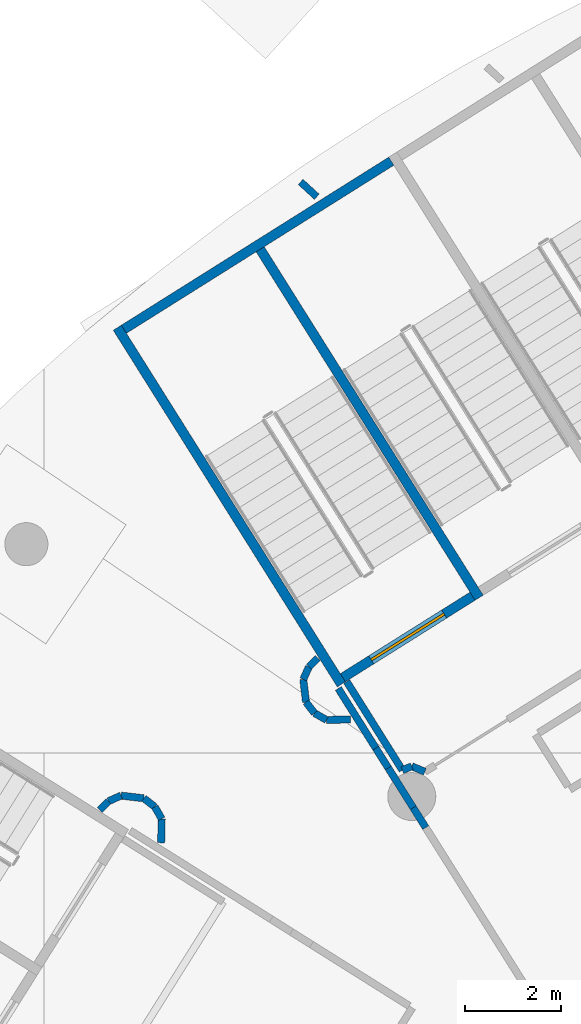
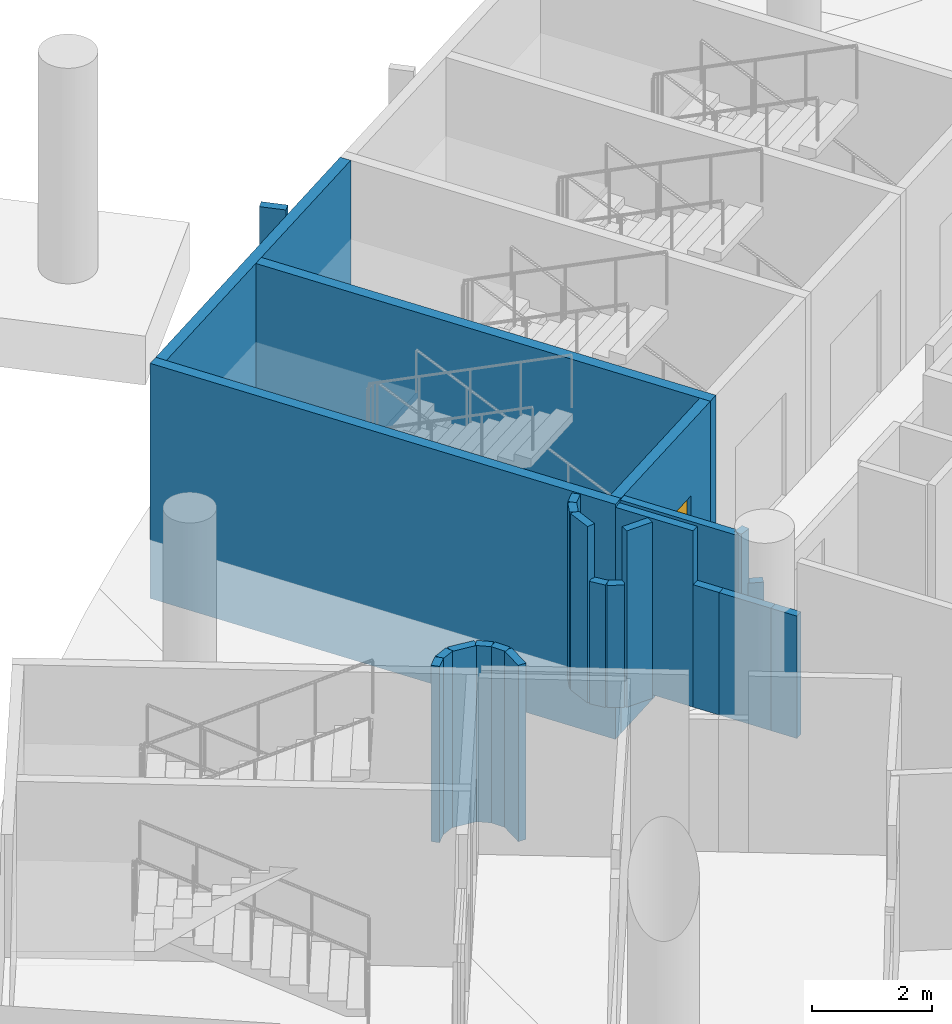
# One storey, part 74 of 142: 24 walls, 1 door, 1 opening.
"""IFC4 building model written with IfcOpenShell, lengths in metres."""

from ifc_helpers import new_model, si_unit, direction, frame, frame_2d, origin, place, context, subcontext, project, spatial, rectangle, extrude, material, layer, layer_set, type_object, element, fill, save


model = new_model("IFC4")

# Units and contexts
model_context = context("Model", 3, precision=1e-05, world=origin(), true_north=direction((0.0, 1.0)))
body_context = subcontext(model_context, "Body", "Model", "MODEL_VIEW")
ifc_project = project(units=[si_unit("LENGTHUNIT", "METRE"), si_unit("AREAUNIT", "SQUARE_METRE"), si_unit("VOLUMEUNIT", "CUBIC_METRE"), si_unit("PLANEANGLEUNIT", "RADIAN"), si_unit("MASSUNIT", "GRAM", prefix="KILO")], contexts=[model_context])

# Site, building, storey
site_placement = place(None, origin())
site = spatial("IfcSite", under=ifc_project, at=site_placement, CompositionType="ELEMENT")
building_placement = place(site_placement, origin())
building = spatial("IfcBuilding", under=site, at=building_placement, Name="Meseta Stadium", CompositionType="ELEMENT")
storey_placement = place(building_placement, frame((0.0, 0.0, -4.0)))
storey = spatial("IfcBuildingStorey", under=building, at=storey_placement, Name="B1", CompositionType="ELEMENT", Elevation=-4.0)

# Walls
ifc_material_1 = material(Name="Concrete C40/50", Category="concrete")
ifc_layer_1 = layer(ifc_material_1, 0.199951171875)
ifc_layer_set_1 = layer_set([ifc_layer_1], Name="Core divider wall 200")
wall_type_1 = type_object("IfcWallType", Name="Core divider wall 200", PredefinedType="SHEAR", material=ifc_layer_set_1)
wall_1_placement = place(storey_placement, frame((-75.5869140625, 90.696533203125, -1.199951171875), z_axis=(0.0, 0.0, 1.0), x_axis=(0.532044832901, -0.846716183726, 0.0)))
element("IfcWall", 1, at=wall_1_placement, inside=storey, type_object=wall_type_1, Name="Core 13 B1 stair B divider wall", PredefinedType="SHEAR", context=body_context, shape_type="SweptSolid", body=[
    extrude(rectangle(XDim=8.7998046875, YDim=0.199951171875, at=frame_2d((4.39990234375, 0.0))), origin(), (0.0, 0.0, 1.0), 4.800048828125),
])
ifc_material_2 = material(Name="Concrete C40/50", Category="concrete")
ifc_layer_2 = layer(ifc_material_2, 0.199951171875)
ifc_layer_set_2 = layer_set([ifc_layer_2], Name="Core shaft wall 200")
wall_type_2 = type_object("IfcWallType", Name="Core shaft wall 200", PredefinedType="SHEAR", material=ifc_layer_set_2)
wall_2_placement = place(storey_placement, frame((-78.4658203125, 88.8876953125, -1.199951171875), z_axis=(0.0, 0.0, 1.0), x_axis=(0.532032334759, -0.846724036963, 0.0)))
element("IfcWall", 2, at=wall_2_placement, inside=storey, type_object=wall_type_2, Name="Core 13 B1 stair wall B-side", PredefinedType="SHEAR", context=body_context, shape_type="SweptSolid", body=[
    extrude(rectangle(XDim=8.800048828125, YDim=0.199951171875, at=frame_2d((4.39990234375, 0.0))), origin(), (0.0, 0.0, 1.0), 4.800048828125),
])
wall_3_placement = place(storey_placement, frame((-72.739501953125, 92.36767578125, -1.199951171875), z_axis=(0.0, 0.0, 1.0), x_axis=(-0.846719870989, -0.532038964807, 0.0)))
element("IfcWall", 3, at=wall_3_placement, inside=storey, type_object=wall_type_2, Name="Core 13 B1 stair B outer end wall", PredefinedType="SHEAR", context=body_context, shape_type="SweptSolid", body=[
    extrude(rectangle(XDim=6.60009765625, YDim=0.199951171875, at=frame_2d((3.300048828125, 0.0))), origin(), (0.0, 0.0, 1.0), 4.800048828125),
])

# Wall, opening, door
wall_4_placement = place(storey_placement, frame((-71.04296875, 83.27685546875, -1.199951171875), z_axis=(0.0, 0.0, 1.0), x_axis=(-0.846735733015, -0.532013720158, 0.0)))
wall_4 = element("IfcWall", 4, at=wall_4_placement, inside=storey, type_object=wall_type_2, Name="Core 13 B1 stair B2 inner end wall", PredefinedType="SHEAR", context=body_context, shape_type="SweptSolid", body=[
    extrude(rectangle(XDim=3.199951171875, YDim=0.199951171875, at=frame_2d((1.60009765625, 0.0))), origin(), (0.0, 0.0, 1.0), 4.800048828125),
])
opening_placement = place(wall_4_placement, frame((0.699951171875, 0.0, 1.199951171875)))
opening = element("IfcOpeningElement", 5, at=opening_placement, cuts=wall_4, Name="Opening D178", PredefinedType="OPENING", context=body_context, shape_type="SweptSolid", body=[
    extrude(rectangle(XDim=1.800048828125, YDim=2.10009765625, at=frame_2d((0.89990234375, 1.050048828125))), frame((0.0, 0.10986328125, 0.0), z_axis=(0.0, -1.0, 0.0), x_axis=(1.0, 0.0, 0.0)), (0.0, 0.0, 1.0), 0.219970703125),
])
ifc_material_3 = material(Name="Steel", Category="steel")
door_type = type_object("IfcDoorType", Name="Stair door 1800x2100", OperationType="DOUBLE_DOOR_SINGLE_SWING", PredefinedType="DOOR", material=ifc_material_3)
door_placement = place(opening_placement, origin())
door = element("IfcDoor", 6, at=door_placement, inside=storey, type_object=door_type, Name="Stair B2 door 13 B1", OperationType="DOUBLE_DOOR_SINGLE_SWING", OverallHeight=2.10009765625, OverallWidth=1.800048828125, PredefinedType="DOOR", context=body_context, shape_type="SweptSolid", body=[
    extrude(rectangle(XDim=1.800048828125, YDim=2.10009765625, at=frame_2d((0.89990234375, 1.050048828125))), frame((0.0, 0.02490234375, 0.0), z_axis=(0.0, -1.0, 0.0), x_axis=(1.0, 0.0, 0.0)), (0.0, 0.0, 1.0), 0.050048828125),
])
fill(opening, door)

# Walls
ifc_material_4 = material(Name="Masonry blockwork", Category="masonry")
ifc_layer_3 = layer(ifc_material_4, 0.14990234375)
ifc_layer_set_3 = layer_set([ifc_layer_3], Name="Partition 150")
wall_type_3 = type_object("IfcWallType", Name="Partition 150", PredefinedType="PARTITIONING", material=ifc_layer_set_3)
wall_5_placement = place(storey_placement, frame((-74.634521484375, 91.93408203125, 0.0), z_axis=(0.0, 0.0, 1.0), x_axis=(0.737375577037, -0.675482981569, 0.0)))
element("IfcWall", 7, at=wall_5_placement, inside=storey, type_object=wall_type_3, Name="Partition B1 B1-cell12-3-0", PredefinedType="PARTITIONING", context=body_context, shape_type="SweptSolid", body=[
    extrude(rectangle(XDim=0.45751953125, YDim=0.14990234375, at=frame_2d((0.228759765625, 0.0))), origin(), (0.0, 0.0, 1.0), 3.60009765625),
])
wall_6_placement = place(storey_placement, frame((-73.847412109375, 81.349609375, 0.0), z_axis=(0.0, 0.0, 1.0), x_axis=(0.532025444809, -0.846728366169, 0.0)))
element("IfcWall", 8, at=wall_6_placement, inside=storey, type_object=wall_type_3, Name="Partition B1 B1-cell12-3-0", PredefinedType="PARTITIONING", context=body_context, shape_type="SweptSolid", body=[
    extrude(rectangle(XDim=1.4716796875, YDim=0.14990234375, at=frame_2d((0.73583984375, 0.0))), origin(), (0.0, 0.0, 1.0), 3.60009765625),
])
wall_7_placement = place(storey_placement, frame((-73.064453125, 80.103515625, 0.0), z_axis=(0.0, 0.0, 1.0), x_axis=(0.532100185812, -0.8466813995, 0.0)))
element("IfcWall", 9, at=wall_7_placement, inside=storey, type_object=wall_type_3, Name="Partition B1 B1-cell12-3-0", PredefinedType="PARTITIONING", context=body_context, shape_type="SweptSolid", body=[
    extrude(rectangle(XDim=0.490478515625, YDim=0.14990234375, at=frame_2d((0.2451171875, 0.0))), origin(), (0.0, 0.0, 1.0), 2.5),
])
wall_8_placement = place(storey_placement, frame((-72.803466796875, 79.688232421875, 0.0), z_axis=(0.0, 0.0, 1.0), x_axis=(0.532100185812, -0.8466813995, 0.0)))
element("IfcWall", 10, at=wall_8_placement, inside=storey, type_object=wall_type_3, Name="Partition B1 B1-cell12-3-0", PredefinedType="PARTITIONING", context=body_context, shape_type="SweptSolid", body=[
    extrude(rectangle(XDim=0.98095703125, YDim=0.14990234375, at=frame_2d((0.490478515625, 0.0))), origin(), (0.0, 0.0, 1.0), 2.5),
])
wall_9_placement = place(storey_placement, frame((-72.281494140625, 78.857666015625, 0.0), z_axis=(0.0, 0.0, 1.0), x_axis=(0.532100185812, -0.8466813995, 0.0)))
element("IfcWall", 11, at=wall_9_placement, inside=storey, type_object=wall_type_3, Name="Partition B1 B1-cell12-3-0", PredefinedType="PARTITIONING", context=body_context, shape_type="SweptSolid", body=[
    extrude(rectangle(XDim=0.490478515625, YDim=0.14990234375, at=frame_2d((0.2451171875, 0.0))), origin(), (0.0, 0.0, 1.0), 2.5),
])
wall_10_placement = place(storey_placement, frame((-73.672607421875, 81.49462890625, 0.0), z_axis=(0.0, 0.0, 1.0), x_axis=(0.532043564192, -0.846716980934, 0.0)))
element("IfcWall", 12, at=wall_10_placement, inside=storey, type_object=wall_type_3, Name="Stair vestibule wall B1 core 13", PredefinedType="PARTITIONING", context=body_context, shape_type="SweptSolid", body=[
    extrude(rectangle(XDim=2.18798828125, YDim=0.14990234375, at=frame_2d((1.093994140625, 0.0))), origin(), (0.0, 0.0, 1.0), 3.60009765625),
])
wall_11_placement = place(storey_placement, frame((-72.508544921875, 79.64208984375, 0.0), z_axis=(0.0, 0.0, 1.0), x_axis=(0.924058780532, 0.382250402382, 0.0)))
element("IfcWall", 13, at=wall_11_placement, inside=storey, type_object=wall_type_3, Name="Stair vestibule wall B1 core 13", PredefinedType="PARTITIONING", context=body_context, shape_type="SweptSolid", body=[
    extrude(rectangle(XDim=0.212646484375, YDim=0.14990234375, at=frame_2d((0.1064453125, 0.0))), origin(), (0.0, 0.0, 1.0), 3.60009765625),
])
wall_12_placement = place(storey_placement, frame((-72.31201171875, 79.723388671875, 0.0), z_axis=(0.0, 0.0, 1.0), x_axis=(0.923855963606, -0.38274032778, 0.0)))
element("IfcWall", 14, at=wall_12_placement, inside=storey, type_object=wall_type_3, Name="Stair vestibule wall B1 core 13", PredefinedType="PARTITIONING", context=body_context, shape_type="SweptSolid", body=[
    extrude(rectangle(XDim=0.2958984375, YDim=0.14990234375, at=frame_2d((0.14794921875, 0.0))), origin(), (0.0, 0.0, 1.0), 2.5),
])
wall_13_placement = place(storey_placement, frame((-74.28076171875, 81.986083984375, 0.0), z_axis=(0.0, 0.0, 1.0), x_axis=(-0.701396909606, -0.712770913545, 0.0)))
element("IfcWall", 15, at=wall_13_placement, inside=storey, type_object=wall_type_3, Name="Stair vestibule wall B1 core 13", PredefinedType="PARTITIONING", context=body_context, shape_type="SweptSolid", body=[
    extrude(rectangle(XDim=0.257568359375, YDim=0.14990234375, at=frame_2d((0.12890625, 0.0))), origin(), (0.0, 0.0, 1.0), 3.60009765625),
])
wall_14_placement = place(storey_placement, frame((-74.46142578125, 81.802490234375, 0.0), z_axis=(0.0, 0.0, 1.0), x_axis=(-0.40881235889, -0.912618460924, 0.0)))
element("IfcWall", 16, at=wall_14_placement, inside=storey, type_object=wall_type_3, Name="Stair vestibule wall B1 core 13", PredefinedType="PARTITIONING", context=body_context, shape_type="SweptSolid", body=[
    extrude(rectangle(XDim=0.287841796875, YDim=0.14990234375, at=frame_2d((0.14404296875, 0.0))), origin(), (0.0, 0.0, 1.0), 3.60009765625),
])
wall_15_placement = place(storey_placement, frame((-74.5791015625, 81.539794921875, 0.0), z_axis=(0.0, 0.0, 1.0), x_axis=(0.118643235326, -0.992936948004, 0.0)))
element("IfcWall", 17, at=wall_15_placement, inside=storey, type_object=wall_type_3, Name="Stair vestibule wall B1 core 13", PredefinedType="PARTITIONING", context=body_context, shape_type="SweptSolid", body=[
    extrude(rectangle(XDim=0.4794921875, YDim=0.14990234375, at=frame_2d((0.23974609375, 0.0))), origin(), (0.0, 0.0, 1.0), 3.60009765625),
])
wall_16_placement = place(storey_placement, frame((-74.522216796875, 81.063720703125, 0.0), z_axis=(0.0, 0.0, 1.0), x_axis=(0.611951854229, -0.79089501712, 0.0)))
element("IfcWall", 18, at=wall_16_placement, inside=storey, type_object=wall_type_3, Name="Stair vestibule wall B1 core 13", PredefinedType="PARTITIONING", context=body_context, shape_type="SweptSolid", body=[
    extrude(rectangle(XDim=0.289306640625, YDim=0.14990234375, at=frame_2d((0.14453125, 0.0))), origin(), (0.0, 0.0, 1.0), 2.5),
])
wall_17_placement = place(storey_placement, frame((-74.34521484375, 80.8349609375, 0.0), z_axis=(0.0, 0.0, 1.0), x_axis=(0.868450612232, -0.495775689313, 0.0)))
element("IfcWall", 19, at=wall_17_placement, inside=storey, type_object=wall_type_3, Name="Stair vestibule wall B1 core 13", PredefinedType="PARTITIONING", context=body_context, shape_type="SweptSolid", body=[
    extrude(rectangle(XDim=0.28955078125, YDim=0.14990234375, at=frame_2d((0.144775390625, 0.0))), origin(), (0.0, 0.0, 1.0), 2.5),
])
for number, where, z_axis, x_axis, name in (
    (20, (-74.09375, 80.69140625, 0.0), (0.0, 0.0, 1.0), (0.999737027421, 0.022931986476, 0.0), "Stair vestibule wall B1 core 13"),
    (21, (-77.549560546875, 78.12548828125, 0.0), (0.0, 0.0, 1.0), (0.022931986476, 0.999737027421, 0.0), "Stair vestibule wall B1 core 14"),
):
    element("IfcWall", number, at=place(storey_placement, frame(where, z_axis=z_axis, x_axis=x_axis)), inside=storey, type_object=wall_type_3, Name=name, PredefinedType="PARTITIONING", context=body_context, shape_type="SweptSolid", body=[
        extrude(rectangle(XDim=0.50048828125, YDim=0.14990234375, at=frame_2d((0.250244140625, 0.0))), origin(), (0.0, 0.0, 1.0), 3.60009765625),
    ])
for number, where, z_axis, x_axis, name in (
    (22, (-77.5380859375, 78.625732421875, 0.0), (0.0, 0.0, 1.0), (-0.496138938357, 0.868243142124, 0.0), "Stair vestibule wall B1 core 14"),
    (23, (-77.681640625, 78.876953125, 0.0), (0.0, 0.0, 1.0), (-0.790486530167, 0.612479424654, 0.0), "Stair vestibule wall B1 core 14"),
):
    element("IfcWall", number, at=place(storey_placement, frame(where, z_axis=z_axis, x_axis=x_axis)), inside=storey, type_object=wall_type_3, Name=name, PredefinedType="PARTITIONING", context=body_context, shape_type="SweptSolid", body=[
        extrude(rectangle(XDim=0.289306640625, YDim=0.14990234375, at=frame_2d((0.14453125, 0.0))), origin(), (0.0, 0.0, 1.0), 3.60009765625),
    ])
wall_18_placement = place(storey_placement, frame((-77.910400390625, 79.05419921875, 0.0), z_axis=(0.0, 0.0, 1.0), x_axis=(-0.992936948004, 0.118643235326, 0.0)))
element("IfcWall", 24, at=wall_18_placement, inside=storey, type_object=wall_type_3, Name="Stair vestibule wall B1 core 14", PredefinedType="PARTITIONING", context=body_context, shape_type="SweptSolid", body=[
    extrude(rectangle(XDim=0.4794921875, YDim=0.14990234375, at=frame_2d((0.23974609375, 0.0))), origin(), (0.0, 0.0, 1.0), 3.60009765625),
])
wall_19_placement = place(storey_placement, frame((-78.386474609375, 79.111083984375, 0.0), z_axis=(0.0, 0.0, 1.0), x_axis=(-0.913075882038, -0.407789692906, 0.0)))
element("IfcWall", 25, at=wall_19_placement, inside=storey, type_object=wall_type_3, Name="Stair vestibule wall B1 core 14", PredefinedType="PARTITIONING", context=body_context, shape_type="SweptSolid", body=[
    extrude(rectangle(XDim=0.2880859375, YDim=0.14990234375, at=frame_2d((0.14404296875, 0.0))), origin(), (0.0, 0.0, 1.0), 3.60009765625),
])
wall_20_placement = place(storey_placement, frame((-78.6494140625, 78.99365234375, 0.0), z_axis=(0.0, 0.0, 1.0), x_axis=(-0.712770913545, -0.701396909606, 0.0)))
element("IfcWall", 26, at=wall_20_placement, inside=storey, type_object=wall_type_3, Name="Stair vestibule wall B1 core 14", PredefinedType="PARTITIONING", context=body_context, shape_type="SweptSolid", body=[
    extrude(rectangle(XDim=0.257568359375, YDim=0.14990234375, at=frame_2d((0.12890625, 0.0))), origin(), (0.0, 0.0, 1.0), 3.60009765625),
])

save(model, "model.ifc")
